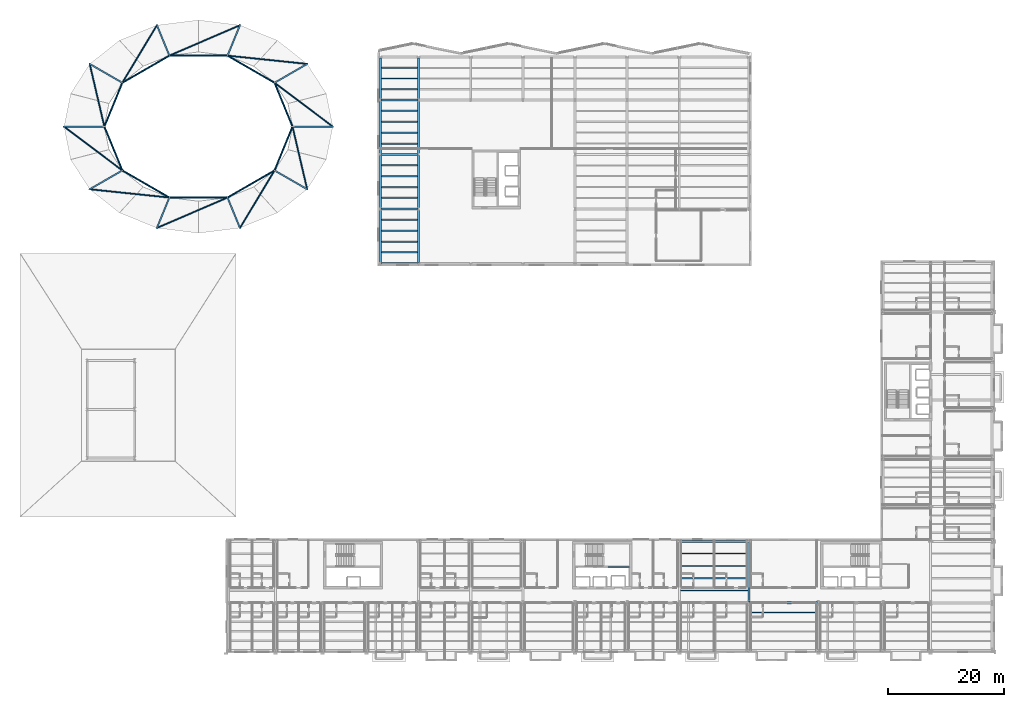
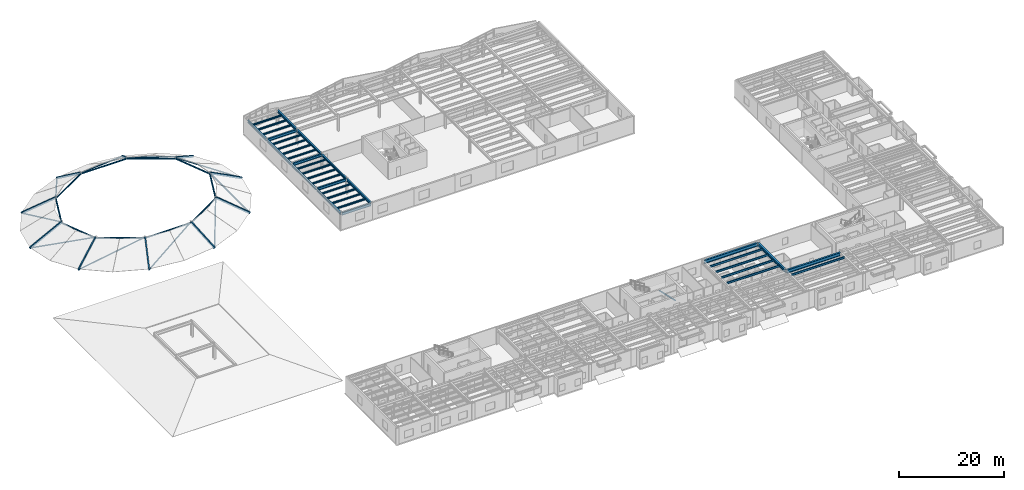
# One storey, part 11 of 46: 35 beams, 31 members.
"""IFC4 building model written with IfcOpenShell, lengths in metres."""

from ifc_helpers import new_model, si_unit, direction, frame, origin, origin_2d, place, context, subcontext, project, spatial, hollow_rectangle, hollow_circle, i_section, extrude, material, material_profile, profile_set, type_object, element, save


model = new_model("IFC4")

# Units and contexts
model_context = context("Model", 3, precision=1e-05, world=origin(), true_north=direction((0.0, 1.0)))
body_context = subcontext(model_context, "Body", "Model", "MODEL_VIEW")
ifc_project = project(units=[si_unit("LENGTHUNIT", "METRE"), si_unit("AREAUNIT", "SQUARE_METRE"), si_unit("VOLUMEUNIT", "CUBIC_METRE"), si_unit("PLANEANGLEUNIT", "RADIAN"), si_unit("MASSUNIT", "GRAM", prefix="KILO")], contexts=[model_context])

# Site, building, storey
site_placement = place(None, origin())
site = spatial("IfcSite", under=ifc_project, at=site_placement, CompositionType="ELEMENT")
building_placement = place(site_placement, origin())
building = spatial("IfcBuilding", under=site, at=building_placement, Name="Sollismere Congress Hotel", CompositionType="ELEMENT")
storey_placement = place(building_placement, frame((0.0, 0.0, 19.5)))
storey = spatial("IfcBuildingStorey", under=building, at=storey_placement, Name="L04", CompositionType="ELEMENT", Elevation=19.5)

# Beams
ifc_material_1 = material(Name="Steel ASTM A992 Grade 50", Category="steel")
ifc_material_profile_1 = material_profile(ifc_material_1, i_section(OverallWidth=0.31494140625, OverallDepth=0.551025390625, WebThickness=0.01513671875, FlangeThickness=0.0244140625, at=origin_2d()), Name="W21X122")
ifc_profile_set_1 = profile_set([ifc_material_profile_1], Name="Steel ASTM A992 Grade 50")
beam_type_1 = type_object("IfcBeamType", Name="BM-G21H", PredefinedType="BEAM", material=ifc_profile_set_1)
beam_1_placement = place(storey_placement, frame((60.39990234375, 66.93994140625, 3.33447265625), z_axis=(0.0, 1.0, 0.0), x_axis=(-1.0, 0.0, 0.0)))
element("IfcBeam", 1, at=beam_1_placement, inside=storey, type_object=beam_type_1, Name="Beam BM-L04-2725", PredefinedType="BEAM", context=body_context, shape_type="SweptSolid", body=[
    extrude(i_section(OverallWidth=0.31494140625, OverallDepth=0.551025390625, WebThickness=0.01513671875, FlangeThickness=0.0244140625, at=origin_2d()), origin(), (0.0, 0.0, 1.0), 9.1201171875),
])
beam_2_placement = place(storey_placement, frame((60.39990234375, 76.340087890625, 3.33447265625), z_axis=(0.0, 1.0, 0.0), x_axis=(-1.0, 0.0, 0.0)))
element("IfcBeam", 2, at=beam_2_placement, inside=storey, type_object=beam_type_1, Name="Beam BM-L04-2726", PredefinedType="BEAM", context=body_context, shape_type="SweptSolid", body=[
    extrude(i_section(OverallWidth=0.31494140625, OverallDepth=0.551025390625, WebThickness=0.01513671875, FlangeThickness=0.0244140625, at=origin_2d()), origin(), (0.0, 0.0, 1.0), 9.119873046875),
])
beam_3_placement = place(storey_placement, frame((60.39990234375, 85.739990234375, 3.33447265625), z_axis=(0.0, 1.0, 0.0), x_axis=(-1.0, 0.0, 0.0)))
element("IfcBeam", 3, at=beam_3_placement, inside=storey, type_object=beam_type_1, Name="Beam BM-L04-2727", PredefinedType="BEAM", context=body_context, shape_type="SweptSolid", body=[
    extrude(i_section(OverallWidth=0.31494140625, OverallDepth=0.551025390625, WebThickness=0.01513671875, FlangeThickness=0.0244140625, at=origin_2d()), origin(), (0.0, 0.0, 1.0), 9.1201171875),
])
beam_4_placement = place(storey_placement, frame((60.39990234375, 95.139892578125, 3.33447265625), z_axis=(0.0, 1.0, 0.0), x_axis=(-1.0, 0.0, 0.0)))
element("IfcBeam", 4, at=beam_4_placement, inside=storey, type_object=beam_type_1, Name="Beam BM-L04-2728", PredefinedType="BEAM", context=body_context, shape_type="SweptSolid", body=[
    extrude(i_section(OverallWidth=0.31494140625, OverallDepth=0.551025390625, WebThickness=0.01513671875, FlangeThickness=0.0244140625, at=origin_2d()), origin(), (0.0, 0.0, 1.0), 7.1201171875),
])
beam_5_placement = place(storey_placement, frame((67.0, 66.93994140625, 3.33447265625), z_axis=(0.0, 1.0, 0.0), x_axis=(-1.0, 0.0, 0.0)))
element("IfcBeam", 5, at=beam_5_placement, inside=storey, type_object=beam_type_1, Name="Beam BM-L04-2731", PredefinedType="BEAM", context=body_context, shape_type="SweptSolid", body=[
    extrude(i_section(OverallWidth=0.31494140625, OverallDepth=0.551025390625, WebThickness=0.01513671875, FlangeThickness=0.0244140625, at=origin_2d()), origin(), (0.0, 0.0, 1.0), 9.1201171875),
])
beam_6_placement = place(storey_placement, frame((67.0, 76.340087890625, 3.33447265625), z_axis=(0.0, 1.0, 0.0), x_axis=(-1.0, 0.0, 0.0)))
element("IfcBeam", 6, at=beam_6_placement, inside=storey, type_object=beam_type_1, Name="Beam BM-L04-2732", PredefinedType="BEAM", context=body_context, shape_type="SweptSolid", body=[
    extrude(i_section(OverallWidth=0.31494140625, OverallDepth=0.551025390625, WebThickness=0.01513671875, FlangeThickness=0.0244140625, at=origin_2d()), origin(), (0.0, 0.0, 1.0), 9.119873046875),
])
beam_7_placement = place(storey_placement, frame((67.0, 85.739990234375, 3.33447265625), z_axis=(0.0, 1.0, 0.0), x_axis=(-1.0, 0.0, 0.0)))
element("IfcBeam", 7, at=beam_7_placement, inside=storey, type_object=beam_type_1, Name="Beam BM-L04-2733", PredefinedType="BEAM", context=body_context, shape_type="SweptSolid", body=[
    extrude(i_section(OverallWidth=0.31494140625, OverallDepth=0.551025390625, WebThickness=0.01513671875, FlangeThickness=0.0244140625, at=origin_2d()), origin(), (0.0, 0.0, 1.0), 9.1201171875),
])
beam_8_placement = place(storey_placement, frame((67.0, 95.139892578125, 3.33447265625), z_axis=(0.0, 1.0, 0.0), x_axis=(-1.0, 0.0, 0.0)))
element("IfcBeam", 8, at=beam_8_placement, inside=storey, type_object=beam_type_1, Name="Beam BM-L04-2734", PredefinedType="BEAM", context=body_context, shape_type="SweptSolid", body=[
    extrude(i_section(OverallWidth=0.31494140625, OverallDepth=0.551025390625, WebThickness=0.01513671875, FlangeThickness=0.0244140625, at=origin_2d()), origin(), (0.0, 0.0, 1.0), 7.1201171875),
])
ifc_material_profile_2 = material_profile(ifc_material_1, i_section(OverallWidth=0.324951171875, OverallDepth=0.612060546875, WebThickness=0.0126953125, FlangeThickness=0.01904296875, at=origin_2d()), Name="W24X104")
ifc_profile_set_2 = profile_set([ifc_material_profile_2], Name="Steel ASTM A992 Grade 50")
beam_type_2 = type_object("IfcBeamType", Name="BM-G24", PredefinedType="BEAM", material=ifc_profile_set_2)
for number, where, z_axis, x_axis, name in (
    (9, (60.531005859375, 66.800048828125, 3.303955078125), (1.0, 0.0, 0.0), (0.0, 1.0, 0.0), "Beam BM-L04-2690"),
    (10, (60.531005859375, 76.199951171875, 3.303955078125), (1.0, 0.0, 0.0), (0.0, 1.0, 0.0), "Beam BM-L04-2697"),
    (11, (60.531005859375, 85.60009765625, 3.303955078125), (1.0, 0.0, 0.0), (0.0, 1.0, 0.0), "Beam BM-L04-2701"),
    (12, (60.531005859375, 95.0, 3.303955078125), (1.0, 0.0, 0.0), (0.0, 1.0, 0.0), "Beam BM-L04-2705"),
):
    element("IfcBeam", number, at=place(storey_placement, frame(where, z_axis=z_axis, x_axis=x_axis)), inside=storey, type_object=beam_type_2, Name=name, PredefinedType="BEAM", context=body_context, shape_type="SweptSolid", body=[
        extrude(i_section(OverallWidth=0.324951171875, OverallDepth=0.612060546875, WebThickness=0.0126953125, FlangeThickness=0.01904296875, at=origin_2d()), origin(), (0.0, 0.0, 1.0), 6.337890625),
    ])
ifc_material_profile_3 = material_profile(ifc_material_1, i_section(OverallWidth=0.35595703125, OverallDepth=0.696044921875, WebThickness=0.015380859375, FlangeThickness=0.025146484375, at=origin_2d()), Name="W27X146")
ifc_profile_set_3 = profile_set([ifc_material_profile_3], Name="Steel ASTM A992 Grade 50")
beam_type_3 = type_object("IfcBeamType", Name="BM-G27", PredefinedType="BEAM", material=ifc_profile_set_3)
beam_9_placement = place(storey_placement, frame((124.0, 8.340087890625, 3.261962890625), z_axis=(0.0, 1.0, 0.0), x_axis=(-1.0, 0.0, 0.0)))
element("IfcBeam", 13, at=beam_9_placement, inside=storey, type_object=beam_type_3, Name="Beam BM-L04-2757", PredefinedType="BEAM", context=body_context, shape_type="SweptSolid", body=[
    extrude(i_section(OverallWidth=0.35595703125, OverallDepth=0.696044921875, WebThickness=0.015380859375, FlangeThickness=0.025146484375, at=origin_2d()), origin(), (0.0, 0.0, 1.0), 10.31982421875),
])
ifc_material_profile_4 = material_profile(ifc_material_1, i_section(OverallWidth=0.384033203125, OverallDepth=0.787109375, WebThickness=0.019775390625, FlangeThickness=0.033447265625, at=origin_2d()), Name="W30X211")
ifc_profile_set_4 = profile_set([ifc_material_profile_4], Name="Steel ASTM A992 Grade 50")
beam_type_4 = type_object("IfcBeamType", Name="BM-G30", PredefinedType="BEAM", material=ifc_profile_set_4)
for number, where, z_axis, x_axis, name in (
    (14, (124.139892578125, 8.199951171875, 3.216552734375), (1.0, 0.0, 0.0), (0.0, 1.0, 0.0), "Beam BM-L04-2675"),
    (15, (112.139892578125, 18.800048828125, 3.216552734375), (1.0, 0.0, 0.0), (0.0, 1.0, 0.0), "Beam BM-L04-2682"),
):
    element("IfcBeam", number, at=place(storey_placement, frame(where, z_axis=z_axis, x_axis=x_axis)), inside=storey, type_object=beam_type_4, Name=name, PredefinedType="BEAM", context=body_context, shape_type="SweptSolid", body=[
        extrude(i_section(OverallWidth=0.384033203125, OverallDepth=0.787109375, WebThickness=0.019775390625, FlangeThickness=0.033447265625, at=origin_2d()), origin(), (0.0, 0.0, 1.0), 11.72021484375),
    ])
ifc_material_profile_5 = material_profile(ifc_material_1, i_section(OverallWidth=0.25390625, OverallDepth=0.35595703125, WebThickness=0.010498046875, FlangeThickness=0.018310546875, at=origin_2d()), Name="W14X68")
ifc_profile_set_5 = profile_set([ifc_material_profile_5], Name="Steel ASTM A992 Grade 50")
beam_type_5 = type_object("IfcBeamType", Name="BM-J14", PredefinedType="JOIST", material=ifc_profile_set_5)
for number, where, z_axis, x_axis, name in (
    (16, (60.5576171875, 68.679931640625, 3.431884765625), (1.0, 0.0, 0.0), (0.0, 1.0, 0.0), "Beam BM-L04-2798"),
    (17, (60.5576171875, 70.56005859375, 3.431884765625), (1.0, 0.0, 0.0), (0.0, 1.0, 0.0), "Beam BM-L04-2799"),
    (18, (60.5576171875, 72.43994140625, 3.431884765625), (1.0, 0.0, 0.0), (0.0, 1.0, 0.0), "Beam BM-L04-2800"),
    (19, (60.5576171875, 74.320068359375, 3.431884765625), (1.0, 0.0, 0.0), (0.0, 1.0, 0.0), "Beam BM-L04-2801"),
    (20, (60.5576171875, 78.080078125, 3.431884765625), (1.0, 0.0, 0.0), (0.0, 1.0, 0.0), "Beam BM-L04-2802"),
    (21, (60.5576171875, 79.9599609375, 3.431884765625), (1.0, 0.0, 0.0), (0.0, 1.0, 0.0), "Beam BM-L04-2803"),
    (22, (60.5576171875, 81.840087890625, 3.431884765625), (1.0, 0.0, 0.0), (0.0, 1.0, 0.0), "Beam BM-L04-2804"),
    (23, (60.5576171875, 83.719970703125, 3.431884765625), (1.0, 0.0, 0.0), (0.0, 1.0, 0.0), "Beam BM-L04-2805"),
    (24, (60.5576171875, 87.47998046875, 3.431884765625), (1.0, 0.0, 0.0), (0.0, 1.0, 0.0), "Beam BM-L04-2806"),
    (25, (60.5576171875, 89.360107421875, 3.431884765625), (1.0, 0.0, 0.0), (0.0, 1.0, 0.0), "Beam BM-L04-2807"),
    (26, (60.5576171875, 91.239990234375, 3.431884765625), (1.0, 0.0, 0.0), (0.0, 1.0, 0.0), "Beam BM-L04-2808"),
    (27, (60.5576171875, 93.1201171875, 3.431884765625), (1.0, 0.0, 0.0), (0.0, 1.0, 0.0), "Beam BM-L04-2809"),
    (28, (60.5576171875, 96.85009765625, 3.431884765625), (1.0, 0.0, 0.0), (0.0, 1.0, 0.0), "Beam BM-L04-2810"),
    (29, (60.5576171875, 98.699951171875, 3.431884765625), (1.0, 0.0, 0.0), (0.0, 1.0, 0.0), "Beam BM-L04-2811"),
    (30, (60.5576171875, 100.550048828125, 3.431884765625), (1.0, 0.0, 0.0), (0.0, 1.0, 0.0), "Beam BM-L04-2812"),
):
    element("IfcBeam", number, at=place(storey_placement, frame(where, z_axis=z_axis, x_axis=x_axis)), inside=storey, type_object=beam_type_5, Name=name, PredefinedType="JOIST", context=body_context, shape_type="SweptSolid", body=[
        extrude(i_section(OverallWidth=0.25390625, OverallDepth=0.35595703125, WebThickness=0.010498046875, FlangeThickness=0.018310546875, at=origin_2d()), origin(), (0.0, 0.0, 1.0), 6.284912109375),
    ])
ifc_material_profile_6 = material_profile(ifc_material_1, i_section(OverallWidth=0.193115234375, OverallDepth=0.467041015625, WebThickness=0.011474609375, FlangeThickness=0.01904296875, at=origin_2d()), Name="W18X65")
ifc_profile_set_6 = profile_set([ifc_material_profile_6], Name="Steel ASTM A992 Grade 50")
beam_type_6 = type_object("IfcBeamType", Name="BM-J18", PredefinedType="JOIST", material=ifc_profile_set_6)
for number, where, z_axis, x_axis, name in (
    (31, (112.177978515625, 10.320068359375, 3.37646484375), (1.0, 0.0, 0.0), (0.0, 1.0, 0.0), "Beam BM-L04-2880"),
    (32, (112.177978515625, 12.43994140625, 3.37646484375), (1.0, 0.0, 0.0), (0.0, 1.0, 0.0), "Beam BM-L04-2881"),
    (33, (112.177978515625, 14.56005859375, 3.37646484375), (1.0, 0.0, 0.0), (0.0, 1.0, 0.0), "Beam BM-L04-2882"),
    (34, (112.177978515625, 16.679931640625, 3.37646484375), (1.0, 0.0, 0.0), (0.0, 1.0, 0.0), "Beam BM-L04-2883"),
):
    element("IfcBeam", number, at=place(storey_placement, frame(where, z_axis=z_axis, x_axis=x_axis)), inside=storey, type_object=beam_type_6, Name=name, PredefinedType="JOIST", context=body_context, shape_type="SweptSolid", body=[
        extrude(i_section(OverallWidth=0.193115234375, OverallDepth=0.467041015625, WebThickness=0.011474609375, FlangeThickness=0.01904296875, at=origin_2d()), origin(), (0.0, 0.0, 1.0), 11.64404296875),
    ])
beam_10_placement = place(storey_placement, frame((124.157470703125, 6.56005859375, 3.37646484375), z_axis=(1.0, 0.0, 0.0), x_axis=(0.0, 1.0, 0.0)))
element("IfcBeam", 35, at=beam_10_placement, inside=storey, type_object=beam_type_6, Name="Beam BM-L04-2898", PredefinedType="JOIST", context=body_context, shape_type="SweptSolid", body=[
    extrude(i_section(OverallWidth=0.193115234375, OverallDepth=0.467041015625, WebThickness=0.011474609375, FlangeThickness=0.01904296875, at=origin_2d()), origin(), (0.0, 0.0, 1.0), 11.68505859375),
])

# Members
ifc_material_2 = material(Name="Steel ASTM A500 Grade C", Category="steel")
ifc_material_profile_7 = material_profile(ifc_material_2, hollow_rectangle(XDim=0.25, YDim=0.449951171875, WallThickness=0.01611328125, at=origin_2d()), Name="HSS450X250X16")
ifc_profile_set_7 = profile_set([ifc_material_profile_7], Name="Steel ASTM A500 Grade C")
member_type_1 = type_object("IfcMemberType", Name="MB-AR450", PredefinedType="COLLAR", material=ifc_profile_set_7)
member_1_placement = place(storey_placement, frame((52.244384765625, 90.39990234375, 0.197021484375), z_axis=(-0.888215045815, 0.0, 0.459427940364), x_axis=(0.0, -1.0, 0.0)))
element("IfcMember", 36, at=member_1_placement, inside=storey, type_object=member_type_1, Name="DR-012 arch rib", PredefinedType="COLLAR", context=body_context, shape_type="SweptSolid", body=[
    extrude(hollow_rectangle(XDim=0.25, YDim=0.449951171875, WallThickness=0.01611328125, at=origin_2d()), origin(), (0.0, 0.0, 1.0), 7.93603515625),
])
member_2_placement = place(storey_placement, frame((47.80712890625, 101.237060546875, 0.19580078125), z_axis=(-0.757921615358, -0.436743656938, 0.484571772906), x_axis=(0.4992773994, -0.866442195677, 0.0)))
element("IfcMember", 37, at=member_2_placement, inside=storey, type_object=member_type_1, Name="DR-022 arch rib", PredefinedType="COLLAR", context=body_context, shape_type="SweptSolid", body=[
    extrude(hollow_rectangle(XDim=0.25, YDim=0.449951171875, WallThickness=0.01611328125, at=origin_2d()), origin(), (0.0, 0.0, 1.0), 7.529296875),
])
for number, where, z_axis, x_axis, name in (
    (38, (36.185302734375, 107.9384765625, 0.193115234375), (-0.32011124134, -0.781320615118, 0.535786234947), (0.925347574292, -0.379119858028, 0.0), "DR-032 arch rib"),
    (39, (21.814697265625, 107.9384765625, 0.193115234375), (0.32011124134, -0.781320615118, 0.535786234947), (0.925347574292, 0.379119858028, 0.0), "DR-042 arch rib"),
):
    element("IfcMember", number, at=place(storey_placement, frame(where, z_axis=z_axis, x_axis=x_axis)), inside=storey, type_object=member_type_1, Name=name, PredefinedType="COLLAR", context=body_context, shape_type="SweptSolid", body=[
        extrude(hollow_rectangle(XDim=0.25, YDim=0.449951171875, WallThickness=0.01611328125, at=origin_2d()), origin(), (0.0, 0.0, 1.0), 6.819091796875),
    ])
member_3_placement = place(storey_placement, frame((10.19287109375, 101.237060546875, 0.19580078125), z_axis=(0.757921615358, -0.436743656938, 0.484571772906), x_axis=(0.4992773994, 0.866442195677, 0.0)))
element("IfcMember", 40, at=member_3_placement, inside=storey, type_object=member_type_1, Name="DR-052 arch rib", PredefinedType="COLLAR", context=body_context, shape_type="SweptSolid", body=[
    extrude(hollow_rectangle(XDim=0.25, YDim=0.449951171875, WallThickness=0.01611328125, at=origin_2d()), origin(), (0.0, 0.0, 1.0), 7.529296875),
])
member_4_placement = place(storey_placement, frame((5.755615234375, 90.39990234375, 0.197021484375), z_axis=(0.888215045815, 0.0, 0.459427940364), x_axis=(0.0, 1.0, 0.0)))
element("IfcMember", 41, at=member_4_placement, inside=storey, type_object=member_type_1, Name="DR-062 arch rib", PredefinedType="COLLAR", context=body_context, shape_type="SweptSolid", body=[
    extrude(hollow_rectangle(XDim=0.25, YDim=0.449951171875, WallThickness=0.01611328125, at=origin_2d()), origin(), (0.0, 0.0, 1.0), 7.93603515625),
])
member_5_placement = place(storey_placement, frame((10.19287109375, 79.56298828125, 0.19580078125), z_axis=(0.757921615358, 0.436743656938, 0.484571772906), x_axis=(-0.4992773994, 0.866442195677, 0.0)))
element("IfcMember", 42, at=member_5_placement, inside=storey, type_object=member_type_1, Name="DR-072 arch rib", PredefinedType="COLLAR", context=body_context, shape_type="SweptSolid", body=[
    extrude(hollow_rectangle(XDim=0.25, YDim=0.449951171875, WallThickness=0.01611328125, at=origin_2d()), origin(), (0.0, 0.0, 1.0), 7.529296875),
])
for number, where, z_axis, x_axis, name in (
    (43, (21.814697265625, 72.861572265625, 0.193115234375), (0.32011124134, 0.781320615118, 0.535786234947), (-0.925347574292, 0.379119858028, 0.0), "DR-082 arch rib"),
    (44, (36.185302734375, 72.861572265625, 0.193115234375), (-0.32011124134, 0.781320615118, 0.535786234947), (-0.925347574292, -0.379119858028, 0.0), "DR-092 arch rib"),
):
    element("IfcMember", number, at=place(storey_placement, frame(where, z_axis=z_axis, x_axis=x_axis)), inside=storey, type_object=member_type_1, Name=name, PredefinedType="COLLAR", context=body_context, shape_type="SweptSolid", body=[
        extrude(hollow_rectangle(XDim=0.25, YDim=0.449951171875, WallThickness=0.01611328125, at=origin_2d()), origin(), (0.0, 0.0, 1.0), 6.819091796875),
    ])
member_6_placement = place(storey_placement, frame((47.80712890625, 79.56298828125, 0.19580078125), z_axis=(-0.757921615358, 0.436743656938, 0.484571772906), x_axis=(-0.4992773994, -0.866442195677, 0.0)))
element("IfcMember", 45, at=member_6_placement, inside=storey, type_object=member_type_1, Name="DR-102 arch rib", PredefinedType="COLLAR", context=body_context, shape_type="SweptSolid", body=[
    extrude(hollow_rectangle(XDim=0.25, YDim=0.449951171875, WallThickness=0.01611328125, at=origin_2d()), origin(), (0.0, 0.0, 1.0), 7.529296875),
])
ifc_material_profile_8 = material_profile(ifc_material_2, hollow_rectangle(XDim=0.25, YDim=0.25, WallThickness=0.010009765625, at=origin_2d()), Name="HSS250X250X10")
ifc_profile_set_8 = profile_set([ifc_material_profile_8], Name="Steel ASTM A500 Grade C")
member_type_2 = type_object("IfcMemberType", Name="MB-BR250", PredefinedType="BRACE", material=ifc_profile_set_8)
member_7_placement = place(storey_placement, frame((103.35009765625, 14.35009765625, 0.02001953125), z_axis=(-0.705115832036, 0.0, 0.709092140284), x_axis=(0.0, -1.0, 0.0)))
element("IfcMember", 46, at=member_7_placement, inside=storey, type_object=member_type_2, Name="BF-010 diagonal brace", PredefinedType="BRACE", context=body_context, shape_type="SweptSolid", body=[
    extrude(hollow_rectangle(XDim=0.25, YDim=0.25, WallThickness=0.010009765625, at=origin_2d()), origin(), (0.0, 0.0, 1.0), 5.03466796875),
])
ifc_material_profile_9 = material_profile(ifc_material_2, hollow_circle(Radius=0.136474609375, WallThickness=0.010009765625, at=origin_2d()), Name="CHS273X10")
ifc_profile_set_9 = profile_set([ifc_material_profile_9], Name="Steel ASTM A500 Grade C")
member_type_3 = type_object("IfcMemberType", Name="MB-BR273", PredefinedType="BRACE", material=ifc_profile_set_9)
member_8_placement = place(storey_placement, frame((52.199951171875, 90.39990234375, 0.219970703125), z_axis=(-0.76827466336, 0.578088840891, 0.274895132144), x_axis=(-0.601252567989, -0.799059040051, 0.0)))
element("IfcMember", 47, at=member_8_placement, inside=storey, type_object=member_type_3, Name="DB-201 diagonal brace", PredefinedType="BRACE", context=body_context, shape_type="SweptSolid", body=[
    extrude(hollow_circle(Radius=0.136474609375, WallThickness=0.010009765625, at=origin_2d()), origin(), (0.0, 0.0, 1.0), 13.09619140625),
])
member_9_placement = place(storey_placement, frame((47.769287109375, 101.21533203125, 0.219970703125), z_axis=(-0.962506456026, 0.100398157576, 0.251995103254), x_axis=(-0.103746202162, -0.994603803299, 0.0)))
element("IfcMember", 48, at=member_9_placement, inside=storey, type_object=member_type_3, Name="DB-202 diagonal brace", PredefinedType="BRACE", context=body_context, shape_type="SweptSolid", body=[
    extrude(hollow_circle(Radius=0.136474609375, WallThickness=0.010009765625, at=origin_2d()), origin(), (0.0, 0.0, 1.0), 14.286376953125),
])
member_10_placement = place(storey_placement, frame((36.169189453125, 107.8994140625, 0.219970703125), z_axis=(-0.886383157301, -0.381801186503, 0.261825805524), x_axis=(0.395601693299, -0.918422179751, 0.0)))
element("IfcMember", 49, at=member_10_placement, inside=storey, type_object=member_type_3, Name="DB-203 diagonal brace", PredefinedType="BRACE", context=body_context, shape_type="SweptSolid", body=[
    extrude(hollow_circle(Radius=0.136474609375, WallThickness=0.010009765625, at=origin_2d()), origin(), (0.0, 0.0, 1.0), 13.75),
])
member_11_placement = place(storey_placement, frame((21.830810546875, 107.8994140625, 0.219970703125), z_axis=(-0.492047013772, -0.818428137263, 0.296757679554), x_axis=(0.857035158252, -0.515257933, 0.0)))
element("IfcMember", 50, at=member_11_placement, inside=storey, type_object=member_type_3, Name="DB-204 diagonal brace", PredefinedType="BRACE", context=body_context, shape_type="SweptSolid", body=[
    extrude(hollow_circle(Radius=0.136474609375, WallThickness=0.010009765625, at=origin_2d()), origin(), (0.0, 0.0, 1.0), 12.13134765625),
])
member_12_placement = place(storey_placement, frame((10.230712890625, 101.21533203125, 0.219970703125), z_axis=(0.216621519125, -0.926286997805, 0.308330204732), x_axis=(0.973727596701, 0.227715979725, 0.0)))
element("IfcMember", 51, at=member_12_placement, inside=storey, type_object=member_type_3, Name="DB-205 diagonal brace", PredefinedType="BRACE", context=body_context, shape_type="SweptSolid", body=[
    extrude(hollow_circle(Radius=0.136474609375, WallThickness=0.010009765625, at=origin_2d()), origin(), (0.0, 0.0, 1.0), 11.676025390625),
])
member_13_placement = place(storey_placement, frame((5.800048828125, 90.39990234375, 0.219970703125), z_axis=(0.768282942857, -0.57807642859, 0.274898094617), x_axis=(0.601240187993, 0.799068355238, 0.0)))
element("IfcMember", 52, at=member_13_placement, inside=storey, type_object=member_type_3, Name="DB-206 diagonal brace", PredefinedType="BRACE", context=body_context, shape_type="SweptSolid", body=[
    extrude(hollow_circle(Radius=0.136474609375, WallThickness=0.010009765625, at=origin_2d()), origin(), (0.0, 0.0, 1.0), 13.09619140625),
])
member_14_placement = place(storey_placement, frame((10.230712890625, 79.584716796875, 0.219970703125), z_axis=(0.962506456026, -0.100398157576, 0.251995103254), x_axis=(0.103746202162, 0.994603803299, 0.0)))
element("IfcMember", 53, at=member_14_placement, inside=storey, type_object=member_type_3, Name="DB-207 diagonal brace", PredefinedType="BRACE", context=body_context, shape_type="SweptSolid", body=[
    extrude(hollow_circle(Radius=0.136474609375, WallThickness=0.010009765625, at=origin_2d()), origin(), (0.0, 0.0, 1.0), 14.286376953125),
])
member_15_placement = place(storey_placement, frame((21.830810546875, 72.900634765625, 0.219970703125), z_axis=(0.886383157301, 0.381801186503, 0.261825805524), x_axis=(-0.395601693299, 0.918422179751, 0.0)))
element("IfcMember", 54, at=member_15_placement, inside=storey, type_object=member_type_3, Name="DB-208 diagonal brace", PredefinedType="BRACE", context=body_context, shape_type="SweptSolid", body=[
    extrude(hollow_circle(Radius=0.136474609375, WallThickness=0.010009765625, at=origin_2d()), origin(), (0.0, 0.0, 1.0), 13.75),
])
member_16_placement = place(storey_placement, frame((36.169189453125, 72.900634765625, 0.219970703125), z_axis=(0.492047013772, 0.818428137263, 0.296757679554), x_axis=(-0.857035158252, 0.515257933, 0.0)))
element("IfcMember", 55, at=member_16_placement, inside=storey, type_object=member_type_3, Name="DB-209 diagonal brace", PredefinedType="BRACE", context=body_context, shape_type="SweptSolid", body=[
    extrude(hollow_circle(Radius=0.136474609375, WallThickness=0.010009765625, at=origin_2d()), origin(), (0.0, 0.0, 1.0), 12.13134765625),
])
member_17_placement = place(storey_placement, frame((47.769287109375, 79.584716796875, 0.219970703125), z_axis=(-0.216625714751, 0.926284028741, 0.308336176614), x_axis=(-0.973726456885, -0.227720853593, 0.0)))
element("IfcMember", 56, at=member_17_placement, inside=storey, type_object=member_type_3, Name="DB-210 diagonal brace", PredefinedType="BRACE", context=body_context, shape_type="SweptSolid", body=[
    extrude(hollow_circle(Radius=0.136474609375, WallThickness=0.010009765625, at=origin_2d()), origin(), (0.0, 0.0, 1.0), 11.67578125),
])
ifc_material_profile_10 = material_profile(ifc_material_2, hollow_circle(Radius=0.162109375, WallThickness=0.011962890625, at=origin_2d()), Name="CHS324X12")
ifc_profile_set_10 = profile_set([ifc_material_profile_10], Name="Steel ASTM A500 Grade C")
member_type_4 = type_object("IfcMemberType", Name="MB-PR324", PredefinedType="PURLIN", material=ifc_profile_set_10)
member_18_placement = place(storey_placement, frame((45.239990234375, 90.39990234375, 3.60009765625), z_axis=(-0.37909524886, 0.925357656418, 0.0), x_axis=(-0.925357656418, -0.37909524886, 0.0)))
element("IfcMember", 57, at=member_18_placement, inside=storey, type_object=member_type_4, Name="DP-201 dome purlin", PredefinedType="PURLIN", context=body_context, shape_type="SweptSolid", body=[
    extrude(hollow_circle(Radius=0.162109375, WallThickness=0.011962890625, at=origin_2d()), origin(), (0.0, 0.0, 1.0), 8.181396484375),
])
member_19_placement = place(storey_placement, frame((42.138427734375, 97.970703125, 3.60009765625), z_axis=(-0.866443526882, 0.49927508923, 0.0), x_axis=(-0.49927508923, -0.866443526882, 0.0)))
element("IfcMember", 58, at=member_19_placement, inside=storey, type_object=member_type_4, Name="DP-202 dome purlin", PredefinedType="PURLIN", context=body_context, shape_type="SweptSolid", body=[
    extrude(hollow_circle(Radius=0.162109375, WallThickness=0.011962890625, at=origin_2d()), origin(), (0.0, 0.0, 1.0), 9.37158203125),
])
member_20_placement = place(storey_placement, frame((34.0185546875, 102.649658203125, 3.60009765625), z_axis=(-1.0, 0.0, 0.0), x_axis=(0.0, -1.0, 0.0)))
element("IfcMember", 59, at=member_20_placement, inside=storey, type_object=member_type_4, Name="DP-203 dome purlin", PredefinedType="PURLIN", context=body_context, shape_type="SweptSolid", body=[
    extrude(hollow_circle(Radius=0.162109375, WallThickness=0.011962890625, at=origin_2d()), origin(), (0.0, 0.0, 1.0), 10.037109375),
])
member_21_placement = place(storey_placement, frame((23.9814453125, 102.649658203125, 3.60009765625), z_axis=(-0.866443526882, -0.49927508923, 0.0), x_axis=(0.49927508923, -0.866443526882, 0.0)))
element("IfcMember", 60, at=member_21_placement, inside=storey, type_object=member_type_4, Name="DP-204 dome purlin", PredefinedType="PURLIN", context=body_context, shape_type="SweptSolid", body=[
    extrude(hollow_circle(Radius=0.162109375, WallThickness=0.011962890625, at=origin_2d()), origin(), (0.0, 0.0, 1.0), 9.37158203125),
])
member_22_placement = place(storey_placement, frame((15.861572265625, 97.970703125, 3.60009765625), z_axis=(-0.37909524886, -0.925357656418, 0.0), x_axis=(0.925357656418, -0.37909524886, 0.0)))
element("IfcMember", 61, at=member_22_placement, inside=storey, type_object=member_type_4, Name="DP-205 dome purlin", PredefinedType="PURLIN", context=body_context, shape_type="SweptSolid", body=[
    extrude(hollow_circle(Radius=0.162109375, WallThickness=0.011962890625, at=origin_2d()), origin(), (0.0, 0.0, 1.0), 8.181396484375),
])
member_23_placement = place(storey_placement, frame((12.760009765625, 90.39990234375, 3.60009765625), z_axis=(0.379105717175, -0.925353367749, 0.0), x_axis=(0.925353367749, 0.379105717175, 0.0)))
element("IfcMember", 62, at=member_23_placement, inside=storey, type_object=member_type_4, Name="DP-206 dome purlin", PredefinedType="PURLIN", context=body_context, shape_type="SweptSolid", body=[
    extrude(hollow_circle(Radius=0.162109375, WallThickness=0.011962890625, at=origin_2d()), origin(), (0.0, 0.0, 1.0), 8.18115234375),
])
member_24_placement = place(storey_placement, frame((15.861572265625, 82.829345703125, 3.60009765625), z_axis=(0.866443526882, -0.49927508923, 0.0), x_axis=(0.49927508923, 0.866443526882, 0.0)))
element("IfcMember", 63, at=member_24_placement, inside=storey, type_object=member_type_4, Name="DP-207 dome purlin", PredefinedType="PURLIN", context=body_context, shape_type="SweptSolid", body=[
    extrude(hollow_circle(Radius=0.162109375, WallThickness=0.011962890625, at=origin_2d()), origin(), (0.0, 0.0, 1.0), 9.37158203125),
])
member_25_placement = place(storey_placement, frame((23.9814453125, 78.150390625, 3.60009765625), z_axis=(1.0, 0.0, 0.0), x_axis=(0.0, 1.0, 0.0)))
element("IfcMember", 64, at=member_25_placement, inside=storey, type_object=member_type_4, Name="DP-208 dome purlin", PredefinedType="PURLIN", context=body_context, shape_type="SweptSolid", body=[
    extrude(hollow_circle(Radius=0.162109375, WallThickness=0.011962890625, at=origin_2d()), origin(), (0.0, 0.0, 1.0), 10.037109375),
])
member_26_placement = place(storey_placement, frame((34.0185546875, 78.150390625, 3.60009765625), z_axis=(0.866443526882, 0.49927508923, 0.0), x_axis=(-0.49927508923, 0.866443526882, 0.0)))
element("IfcMember", 65, at=member_26_placement, inside=storey, type_object=member_type_4, Name="DP-209 dome purlin", PredefinedType="PURLIN", context=body_context, shape_type="SweptSolid", body=[
    extrude(hollow_circle(Radius=0.162109375, WallThickness=0.011962890625, at=origin_2d()), origin(), (0.0, 0.0, 1.0), 9.37158203125),
])
member_27_placement = place(storey_placement, frame((42.138427734375, 82.829345703125, 3.60009765625), z_axis=(0.379105717175, 0.925353367749, 0.0), x_axis=(-0.925353367749, 0.379105717175, 0.0)))
element("IfcMember", 66, at=member_27_placement, inside=storey, type_object=member_type_4, Name="DP-210 dome purlin", PredefinedType="PURLIN", context=body_context, shape_type="SweptSolid", body=[
    extrude(hollow_circle(Radius=0.162109375, WallThickness=0.011962890625, at=origin_2d()), origin(), (0.0, 0.0, 1.0), 8.18115234375),
])

save(model, "model.ifc")
